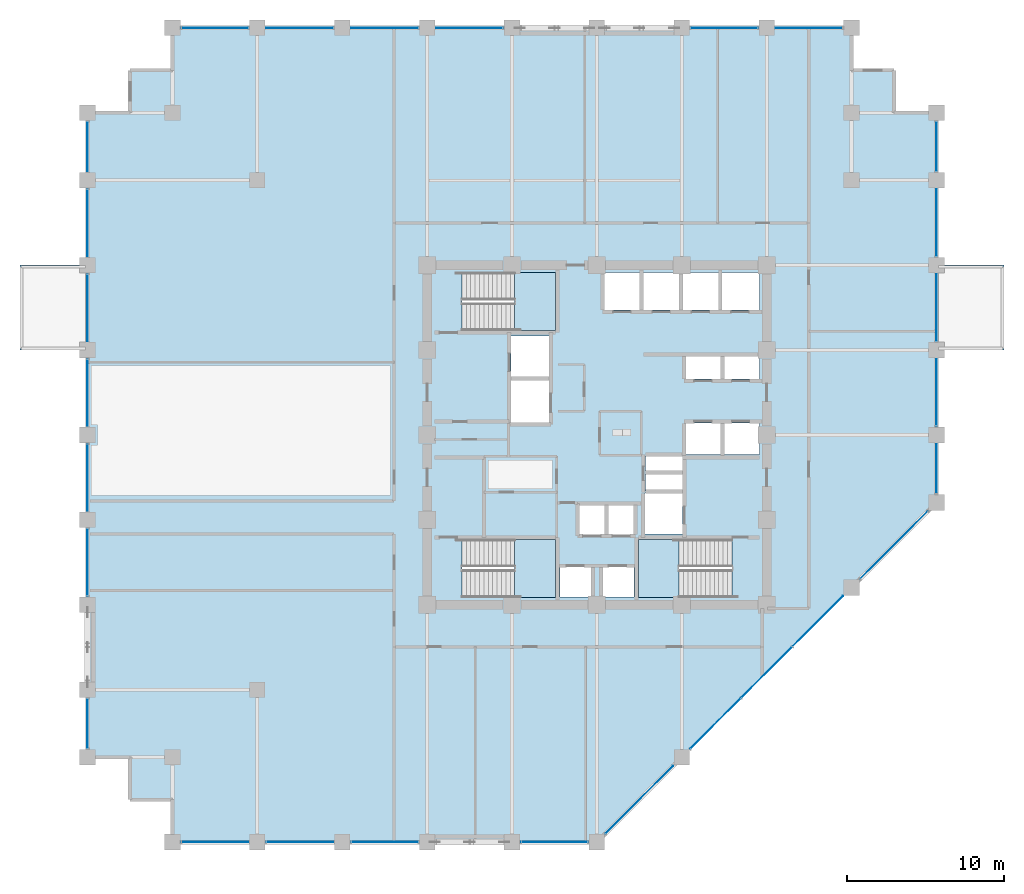
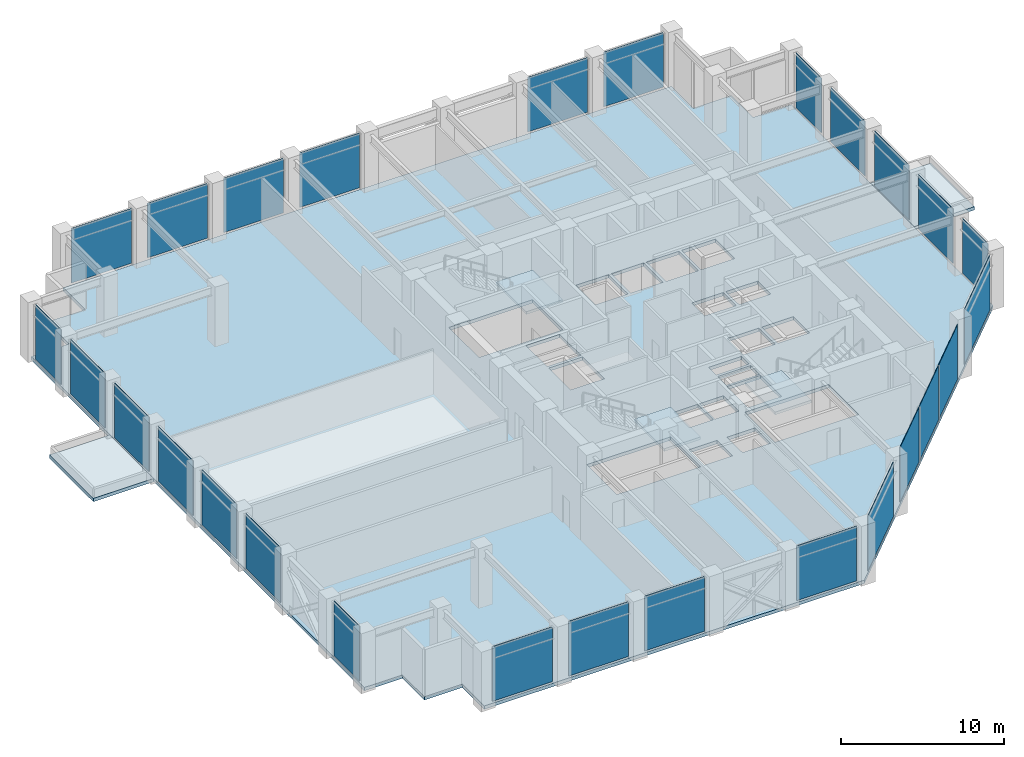
# One storey, part 17 of 25: 27 plates, 6 slabs, 11 elements without a shape of their own.
"""IFC4 building model written with IfcOpenShell, lengths in metres."""

from ifc_helpers import new_model, si_unit, direction, frame, frame_2d, origin, place, context, subcontext, project, spatial, polyline, rectangle, outline, extrude, material, layer, layer_set, type_object, element, aggregate, save


model = new_model("IFC4")

# Units and contexts
model_context = context("Model", 3, precision=1e-05, world=origin(), true_north=direction((0.0, 1.0)))
body_context = subcontext(model_context, "Body", "Model", "MODEL_VIEW")
ifc_project = project(units=[si_unit("LENGTHUNIT", "METRE"), si_unit("AREAUNIT", "SQUARE_METRE"), si_unit("VOLUMEUNIT", "CUBIC_METRE"), si_unit("PLANEANGLEUNIT", "RADIAN"), si_unit("MASSUNIT", "GRAM", prefix="KILO")], contexts=[model_context])

# Site, building, storey
site_placement = place(None, origin())
site = spatial("IfcSite", under=ifc_project, at=site_placement, CompositionType="ELEMENT")
building_placement = place(site_placement, origin())
building = spatial("IfcBuilding", under=site, at=building_placement, Name="Surkhivell Harbour Commons", CompositionType="ELEMENT")
storey_placement = place(building_placement, frame((0.0, 0.0, 162.0)))
storey = spatial("IfcBuildingStorey", under=building, at=storey_placement, Name="L42", CompositionType="ELEMENT", Elevation=162.0)

# Curtain wall, plates
ifc_material_1 = material(Name="Anodised pale-metal aluminium and insulated glazing", Category="aluminium")
ifc_layer_1 = layer(ifc_material_1, 0.205078125)
ifc_layer_set_1 = layer_set([ifc_layer_1], Name="Anodised pale-metal aluminium and insulated glazing")
curtain_wall_type = type_object("IfcCurtainWallType", Name="CW-SYS-Z2", PredefinedType="NOTDEFINED", material=ifc_layer_set_1)
curtain_wall_1_placement = place(storey_placement, origin())
curtain_wall_1 = element("IfcCurtainWall", 1, at=curtain_wall_1_placement, inside=storey, type_object=curtain_wall_type, Name="L42 Curtain Wall CW-L42-E00S1", PredefinedType="NOTDEFINED")
ifc_material_2 = material(Name="High-pressure typhoon laminated vision glass", Category="glass")
ifc_layer_2 = layer(ifc_material_2, 0.035888671875)
ifc_layer_set_2 = layer_set([ifc_layer_2], Name="High-pressure typhoon laminated vision glass")
plate_type = type_object("IfcPlateType", Name="CWP-GLZ-36", PredefinedType="CURTAIN_PANEL", material=ifc_layer_set_2)
plate_1_placement = place(storey_placement, frame((-26.423095703125, -25.89990234375, 0.14990234375), z_axis=(0.0, 0.0, 1.0), x_axis=(1.0, 0.0, 0.0)))
plate_1 = element("IfcPlate", 2, at=plate_1_placement, type_object=plate_type, Name="CW-Z2 panel 1.1", PredefinedType="CURTAIN_PANEL", context=body_context, shape_type="SweptSolid", body=[
    extrude(rectangle(XDim=4.24609375, YDim=0.035888671875, at=frame_2d((2.123046875, 0.0))), origin(), (0.0, 0.0, 1.0), 4.10009765625),
])
plate_2_placement = place(storey_placement, frame((-21.02294921875, -25.89990234375, 0.14990234375), z_axis=(0.0, 0.0, 1.0), x_axis=(1.0, 0.0, 0.0)))
plate_2 = element("IfcPlate", 3, at=plate_2_placement, type_object=plate_type, Name="CW-Z2 panel 2.1", PredefinedType="CURTAIN_PANEL", context=body_context, shape_type="SweptSolid", body=[
    extrude(rectangle(XDim=4.245849609375, YDim=0.035888671875, at=frame_2d((2.123046875, 0.0))), origin(), (0.0, 0.0, 1.0), 4.10009765625),
])
plate_3_placement = place(storey_placement, frame((-15.623046875, -25.89990234375, 0.14990234375), z_axis=(0.0, 0.0, 1.0), x_axis=(1.0, 0.0, 0.0)))
plate_3 = element("IfcPlate", 4, at=plate_3_placement, type_object=plate_type, Name="CW-Z2 panel 3.1", PredefinedType="CURTAIN_PANEL", context=body_context, shape_type="SweptSolid", body=[
    extrude(rectangle(XDim=4.24609375, YDim=0.035888671875, at=frame_2d((2.123046875, 0.0))), origin(), (0.0, 0.0, 1.0), 4.10009765625),
])
aggregate(curtain_wall_1, [plate_1, plate_2, plate_3])

# Curtain wall, plate
curtain_wall_2_placement = place(storey_placement, origin())
curtain_wall_2 = element("IfcCurtainWall", 5, at=curtain_wall_2_placement, inside=storey, type_object=curtain_wall_type, Name="L42 Curtain Wall CW-L42-E00S2", PredefinedType="NOTDEFINED")
plate_4_placement = place(storey_placement, frame((-4.822998046875, -25.89990234375, 0.14990234375), z_axis=(0.0, 0.0, 1.0), x_axis=(1.0, 0.0, 0.0)))
plate_4 = element("IfcPlate", 6, at=plate_4_placement, type_object=plate_type, Name="CW-Z2 panel 1.1", PredefinedType="CURTAIN_PANEL", context=body_context, shape_type="SweptSolid", body=[
    extrude(rectangle(XDim=4.24609375, YDim=0.035888671875, at=frame_2d((2.123046875, 0.0))), origin(), (0.0, 0.0, 1.0), 4.10009765625),
])
aggregate(curtain_wall_2, [plate_4])

# Curtain wall, plates
curtain_wall_3_placement = place(storey_placement, origin())
curtain_wall_3 = element("IfcCurtainWall", 7, at=curtain_wall_3_placement, inside=storey, type_object=curtain_wall_type, Name="L42 Curtain Wall CW-L42-E01", PredefinedType="NOTDEFINED")
plate_5_placement = place(storey_placement, frame((0.5546875, -25.34521484375, 0.14990234375), z_axis=(0.0, 0.0, 1.0), x_axis=(0.707106781187, 0.707106781187, 0.0)))
plate_5 = element("IfcPlate", 8, at=plate_5_placement, type_object=plate_type, Name="CW-Z2 panel 1.1", PredefinedType="CURTAIN_PANEL", context=body_context, shape_type="SweptSolid", body=[
    extrude(rectangle(XDim=6.067626953125, YDim=0.035888671875, at=frame_2d((3.03369140625, 0.0))), origin(), (0.0, 0.0, 1.0), 4.10009765625),
])
plate_6_placement = place(storey_placement, frame((5.954833984375, -19.9453125, 0.14990234375), z_axis=(0.0, 0.0, 1.0), x_axis=(0.707079687416, 0.707133873919, 0.0)))
plate_6 = element("IfcPlate", 9, at=plate_6_placement, type_object=plate_type, Name="CW-Z2 panel 2.1", PredefinedType="CURTAIN_PANEL", context=body_context, shape_type="SweptSolid", body=[
    extrude(rectangle(XDim=4.505615234375, YDim=0.035888671875, at=frame_2d((2.2529296875, 0.0))), origin(), (0.0, 0.0, 1.0), 4.10009765625),
])
plate_7_placement = place(storey_placement, frame((9.19384765625, -16.706298828125, 0.14990234375), z_axis=(0.0, 0.0, 1.0), x_axis=(0.707079911854, 0.707133649498, 0.0)))
plate_7 = element("IfcPlate", 10, at=plate_7_placement, type_object=plate_type, Name="CW-Z2 panel 3.1", PredefinedType="CURTAIN_PANEL", context=body_context, shape_type="SweptSolid", body=[
    extrude(rectangle(XDim=4.543212890625, YDim=0.035888671875, at=frame_2d((2.271484375, 0.0))), origin(), (0.0, 0.0, 1.0), 4.10009765625),
])
plate_8_placement = place(storey_placement, frame((12.459228515625, -13.440673828125, 0.14990234375), z_axis=(0.0, 0.0, 1.0), x_axis=(0.707106781187, 0.707106781187, 0.0)))
plate_8 = element("IfcPlate", 11, at=plate_8_placement, type_object=plate_type, Name="CW-Z2 panel 4.1", PredefinedType="CURTAIN_PANEL", context=body_context, shape_type="SweptSolid", body=[
    extrude(rectangle(XDim=4.505615234375, YDim=0.035888671875, at=frame_2d((2.2529296875, 0.0))), origin(), (0.0, 0.0, 1.0), 4.10009765625),
])
plate_9_placement = place(storey_placement, frame((16.754638671875, -9.145263671875, 0.14990234375), z_axis=(0.0, 0.0, 1.0), x_axis=(0.707106781187, 0.707106781187, 0.0)))
plate_9 = element("IfcPlate", 12, at=plate_9_placement, type_object=plate_type, Name="CW-Z2 panel 5.1", PredefinedType="CURTAIN_PANEL", context=body_context, shape_type="SweptSolid", body=[
    extrude(rectangle(XDim=6.067626953125, YDim=0.035888671875, at=frame_2d((3.03369140625, 0.0))), origin(), (0.0, 0.0, 1.0), 4.10009765625),
])
aggregate(curtain_wall_3, [plate_5, plate_6, plate_7, plate_8, plate_9])

curtain_wall_4_placement = place(storey_placement, origin())
curtain_wall_4 = element("IfcCurtainWall", 13, at=curtain_wall_4_placement, inside=storey, type_object=curtain_wall_type, Name="L42 Curtain Wall CW-L42-E02", PredefinedType="NOTDEFINED")
plate_10_placement = place(storey_placement, frame((21.60009765625, -3.722900390625, 0.14990234375), z_axis=(0.0, 0.0, 1.0), x_axis=(0.0, 1.0, 0.0)))
plate_10 = element("IfcPlate", 14, at=plate_10_placement, type_object=plate_type, Name="CW-Z2 panel 1.1", PredefinedType="CURTAIN_PANEL", context=body_context, shape_type="SweptSolid", body=[
    extrude(rectangle(XDim=3.14599609375, YDim=0.035888671875, at=frame_2d((1.572998046875, 0.0))), origin(), (0.0, 0.0, 1.0), 4.10009765625),
])
plate_11_placement = place(storey_placement, frame((21.60009765625, 0.576904296875, 0.14990234375), z_axis=(0.0, 0.0, 1.0), x_axis=(0.0, 1.0, 0.0)))
plate_11 = element("IfcPlate", 15, at=plate_11_placement, type_object=plate_type, Name="CW-Z2 panel 2.1", PredefinedType="CURTAIN_PANEL", context=body_context, shape_type="SweptSolid", body=[
    extrude(rectangle(XDim=4.24609375, YDim=0.035888671875, at=frame_2d((2.123046875, 0.0))), origin(), (0.0, 0.0, 1.0), 4.10009765625),
])
plate_12_placement = place(storey_placement, frame((21.60009765625, 5.97705078125, 0.14990234375), z_axis=(0.0, 0.0, 1.0), x_axis=(0.0, 1.0, 0.0)))
plate_12 = element("IfcPlate", 16, at=plate_12_placement, type_object=plate_type, Name="CW-Z2 panel 3.1", PredefinedType="CURTAIN_PANEL", context=body_context, shape_type="SweptSolid", body=[
    extrude(rectangle(XDim=4.245849609375, YDim=0.035888671875, at=frame_2d((2.123046875, 0.0))), origin(), (0.0, 0.0, 1.0), 4.10009765625),
])
plate_13_placement = place(storey_placement, frame((21.60009765625, 11.376953125, 0.14990234375), z_axis=(0.0, 0.0, 1.0), x_axis=(0.0, 1.0, 0.0)))
plate_13 = element("IfcPlate", 17, at=plate_13_placement, type_object=plate_type, Name="CW-Z2 panel 4.1", PredefinedType="CURTAIN_PANEL", context=body_context, shape_type="SweptSolid", body=[
    extrude(rectangle(XDim=4.24609375, YDim=0.035888671875, at=frame_2d((2.123046875, 0.0))), origin(), (0.0, 0.0, 1.0), 4.10009765625),
])
plate_14_placement = place(storey_placement, frame((21.60009765625, 16.777099609375, 0.14990234375), z_axis=(0.0, 0.0, 1.0), x_axis=(0.0, 1.0, 0.0)))
plate_14 = element("IfcPlate", 18, at=plate_14_placement, type_object=plate_type, Name="CW-Z2 panel 5.1", PredefinedType="CURTAIN_PANEL", context=body_context, shape_type="SweptSolid", body=[
    extrude(rectangle(XDim=3.14599609375, YDim=0.035888671875, at=frame_2d((1.572998046875, 0.0))), origin(), (0.0, 0.0, 1.0), 4.10009765625),
])
aggregate(curtain_wall_4, [plate_10, plate_11, plate_12, plate_13, plate_14])

curtain_wall_5_placement = place(storey_placement, origin())
curtain_wall_5 = element("IfcCurtainWall", 19, at=curtain_wall_5_placement, inside=storey, type_object=curtain_wall_type, Name="L42 Curtain Wall CW-L42-E07S1", PredefinedType="NOTDEFINED")
plate_15_placement = place(storey_placement, frame((15.623046875, 25.89990234375, 0.14990234375), z_axis=(0.0, 0.0, 1.0), x_axis=(-1.0, 0.0, 0.0)))
plate_15 = element("IfcPlate", 20, at=plate_15_placement, type_object=plate_type, Name="CW-Z2 panel 1.1", PredefinedType="CURTAIN_PANEL", context=body_context, shape_type="SweptSolid", body=[
    extrude(rectangle(XDim=4.24609375, YDim=0.035888671875, at=frame_2d((2.123046875, 0.0))), origin(), (0.0, 0.0, 1.0), 4.10009765625),
])
plate_16_placement = place(storey_placement, frame((10.222900390625, 25.89990234375, 0.14990234375), z_axis=(0.0, 0.0, 1.0), x_axis=(-1.0, 0.0, 0.0)))
plate_16 = element("IfcPlate", 21, at=plate_16_placement, type_object=plate_type, Name="CW-Z2 panel 2.1", PredefinedType="CURTAIN_PANEL", context=body_context, shape_type="SweptSolid", body=[
    extrude(rectangle(XDim=4.245849609375, YDim=0.035888671875, at=frame_2d((2.123046875, 0.0))), origin(), (0.0, 0.0, 1.0), 4.10009765625),
])
aggregate(curtain_wall_5, [plate_15, plate_16])

curtain_wall_6_placement = place(storey_placement, origin())
curtain_wall_6 = element("IfcCurtainWall", 22, at=curtain_wall_6_placement, inside=storey, type_object=curtain_wall_type, Name="L42 Curtain Wall CW-L42-E07S2", PredefinedType="NOTDEFINED")
plate_17_placement = place(storey_placement, frame((-5.97705078125, 25.89990234375, 0.14990234375), z_axis=(0.0, 0.0, 1.0), x_axis=(-1.0, 0.0, 0.0)))
plate_17 = element("IfcPlate", 23, at=plate_17_placement, type_object=plate_type, Name="CW-Z2 panel 1.1", PredefinedType="CURTAIN_PANEL", context=body_context, shape_type="SweptSolid", body=[
    extrude(rectangle(XDim=4.245849609375, YDim=0.035888671875, at=frame_2d((2.123046875, 0.0))), origin(), (0.0, 0.0, 1.0), 4.10009765625),
])
plate_18_placement = place(storey_placement, frame((-11.376953125, 25.89990234375, 0.14990234375), z_axis=(0.0, 0.0, 1.0), x_axis=(-1.0, 0.0, 0.0)))
plate_18 = element("IfcPlate", 24, at=plate_18_placement, type_object=plate_type, Name="CW-Z2 panel 2.1", PredefinedType="CURTAIN_PANEL", context=body_context, shape_type="SweptSolid", body=[
    extrude(rectangle(XDim=4.24609375, YDim=0.035888671875, at=frame_2d((2.123046875, 0.0))), origin(), (0.0, 0.0, 1.0), 4.10009765625),
])
plate_19_placement = place(storey_placement, frame((-16.777099609375, 25.89990234375, 0.14990234375), z_axis=(0.0, 0.0, 1.0), x_axis=(-1.0, 0.0, 0.0)))
plate_19 = element("IfcPlate", 25, at=plate_19_placement, type_object=plate_type, Name="CW-Z2 panel 3.1", PredefinedType="CURTAIN_PANEL", context=body_context, shape_type="SweptSolid", body=[
    extrude(rectangle(XDim=4.245849609375, YDim=0.035888671875, at=frame_2d((2.123046875, 0.0))), origin(), (0.0, 0.0, 1.0), 4.10009765625),
])
plate_20_placement = place(storey_placement, frame((-22.177001953125, 25.89990234375, 0.14990234375), z_axis=(0.0, 0.0, 1.0), x_axis=(-1.0, 0.0, 0.0)))
plate_20 = element("IfcPlate", 26, at=plate_20_placement, type_object=plate_type, Name="CW-Z2 panel 4.1", PredefinedType="CURTAIN_PANEL", context=body_context, shape_type="SweptSolid", body=[
    extrude(rectangle(XDim=4.24609375, YDim=0.035888671875, at=frame_2d((2.123046875, 0.0))), origin(), (0.0, 0.0, 1.0), 4.10009765625),
])
aggregate(curtain_wall_6, [plate_17, plate_18, plate_19, plate_20])

curtain_wall_7_placement = place(storey_placement, origin())
curtain_wall_7 = element("IfcCurtainWall", 27, at=curtain_wall_7_placement, inside=storey, type_object=curtain_wall_type, Name="L42 Curtain Wall CW-L42-E12S1", PredefinedType="NOTDEFINED")
plate_21_placement = place(storey_placement, frame((-32.39990234375, 19.923095703125, 0.14990234375), z_axis=(0.0, 0.0, 1.0), x_axis=(0.0, -1.0, 0.0)))
plate_21 = element("IfcPlate", 28, at=plate_21_placement, type_object=plate_type, Name="CW-Z2 panel 1.1", PredefinedType="CURTAIN_PANEL", context=body_context, shape_type="SweptSolid", body=[
    extrude(rectangle(XDim=3.14599609375, YDim=0.035888671875, at=frame_2d((1.572998046875, 0.0))), origin(), (0.0, 0.0, 1.0), 4.10009765625),
])
plate_22_placement = place(storey_placement, frame((-32.39990234375, 15.623046875, 0.14990234375), z_axis=(0.0, 0.0, 1.0), x_axis=(0.0, -1.0, 0.0)))
plate_22 = element("IfcPlate", 29, at=plate_22_placement, type_object=plate_type, Name="CW-Z2 panel 2.1", PredefinedType="CURTAIN_PANEL", context=body_context, shape_type="SweptSolid", body=[
    extrude(rectangle(XDim=4.24609375, YDim=0.035888671875, at=frame_2d((2.123046875, 0.0))), origin(), (0.0, 0.0, 1.0), 4.10009765625),
])
plate_23_placement = place(storey_placement, frame((-32.39990234375, 10.222900390625, 0.14990234375), z_axis=(0.0, 0.0, 1.0), x_axis=(0.0, -1.0, 0.0)))
plate_23 = element("IfcPlate", 30, at=plate_23_placement, type_object=plate_type, Name="CW-Z2 panel 3.1", PredefinedType="CURTAIN_PANEL", context=body_context, shape_type="SweptSolid", body=[
    extrude(rectangle(XDim=4.245849609375, YDim=0.035888671875, at=frame_2d((2.123046875, 0.0))), origin(), (0.0, 0.0, 1.0), 4.10009765625),
])
plate_24_placement = place(storey_placement, frame((-32.39990234375, 4.822998046875, 0.14990234375), z_axis=(0.0, 0.0, 1.0), x_axis=(0.0, -1.0, 0.0)))
plate_24 = element("IfcPlate", 31, at=plate_24_placement, type_object=plate_type, Name="CW-Z2 panel 4.1", PredefinedType="CURTAIN_PANEL", context=body_context, shape_type="SweptSolid", body=[
    extrude(rectangle(XDim=4.24609375, YDim=0.035888671875, at=frame_2d((2.123046875, 0.0))), origin(), (0.0, 0.0, 1.0), 4.10009765625),
])
plate_25_placement = place(storey_placement, frame((-32.39990234375, -0.576904296875, 0.14990234375), z_axis=(0.0, 0.0, 1.0), x_axis=(0.0, -1.0, 0.0)))
plate_25 = element("IfcPlate", 32, at=plate_25_placement, type_object=plate_type, Name="CW-Z2 panel 5.1", PredefinedType="CURTAIN_PANEL", context=body_context, shape_type="SweptSolid", body=[
    extrude(rectangle(XDim=4.24609375, YDim=0.035888671875, at=frame_2d((2.123046875, 0.0))), origin(), (0.0, 0.0, 1.0), 4.10009765625),
])
plate_26_placement = place(storey_placement, frame((-32.39990234375, -5.97705078125, 0.14990234375), z_axis=(0.0, 0.0, 1.0), x_axis=(0.0, -1.0, 0.0)))
plate_26 = element("IfcPlate", 33, at=plate_26_placement, type_object=plate_type, Name="CW-Z2 panel 6.1", PredefinedType="CURTAIN_PANEL", context=body_context, shape_type="SweptSolid", body=[
    extrude(rectangle(XDim=4.245849609375, YDim=0.035888671875, at=frame_2d((2.123046875, 0.0))), origin(), (0.0, 0.0, 1.0), 4.10009765625),
])
aggregate(curtain_wall_7, [plate_21, plate_22, plate_23, plate_24, plate_25, plate_26])

# Curtain wall, plate
curtain_wall_8_placement = place(storey_placement, origin())
curtain_wall_8 = element("IfcCurtainWall", 34, at=curtain_wall_8_placement, inside=storey, type_object=curtain_wall_type, Name="L42 Curtain Wall CW-L42-E12S2", PredefinedType="NOTDEFINED")
plate_27_placement = place(storey_placement, frame((-32.39990234375, -16.777099609375, 0.14990234375), z_axis=(0.0, 0.0, 1.0), x_axis=(0.0, -1.0, 0.0)))
plate_27 = element("IfcPlate", 35, at=plate_27_placement, type_object=plate_type, Name="CW-Z2 panel 1.1", PredefinedType="CURTAIN_PANEL", context=body_context, shape_type="SweptSolid", body=[
    extrude(rectangle(XDim=3.14599609375, YDim=0.035888671875, at=frame_2d((1.572998046875, 0.0))), origin(), (0.0, 0.0, 1.0), 4.10009765625),
])
aggregate(curtain_wall_8, [plate_27])

# Slabs
ifc_material_3 = material(Name="Concrete C50/60", Category="concrete")
ifc_layer_3 = layer(ifc_material_3, 0.25)
ifc_layer_set_3 = layer_set([ifc_layer_3], Name="Concrete C50/60")
slab_type_1 = type_object("IfcSlabType", Name="SLB-BOXRF-250", PredefinedType="ROOF", material=ifc_layer_set_3)
slab_1_placement = place(storey_placement, frame((0.0, 0.0, -0.25)))
element("IfcSlab", 36, at=slab_1_placement, inside=storey, type_object=slab_type_1, Name="L42 Closed Box-Cluster Roof Slab 1", PredefinedType="ROOF", context=body_context, shape_type="SweptSolid", body=[
    extrude(outline(polyline([(25.89990234375, 10.800048828125), (21.6201171875, 10.800048828125), (21.6201171875, 5.39990234375), (25.89990234375, 5.39990234375), (25.89990234375, 10.800048828125)])), origin(), (0.0, 0.0, 1.0), 0.25),
])
slab_2_placement = place(storey_placement, frame((0.0, 0.0, -0.25)))
element("IfcSlab", 37, at=slab_2_placement, inside=storey, type_object=slab_type_1, Name="L42 Closed Box-Cluster Roof Slab 2", PredefinedType="ROOF", context=body_context, shape_type="SweptSolid", body=[
    extrude(outline(polyline([(-36.699951171875, 5.39990234375), (-32.419921875, 5.39990234375), (-32.419921875, 10.800048828125), (-36.699951171875, 10.800048828125), (-36.699951171875, 5.39990234375)])), origin(), (0.0, 0.0, 1.0), 0.25),
])
ifc_layer_4 = layer(ifc_material_3, 0.25)
ifc_layer_set_4 = layer_set([ifc_layer_4], Name="Concrete C50/60")
slab_type_2 = type_object("IfcSlabType", Name="SLB-POD-250", PredefinedType="FLOOR", material=ifc_layer_set_4)
slab_3_placement = place(storey_placement, frame((0.0, 0.0, -0.25)))
element("IfcSlab", 38, at=slab_3_placement, inside=storey, type_object=slab_type_2, Name="L42 Structural Floor Slab", PredefinedType="FLOOR", context=body_context, shape_type="SweptSolid", body=[
    extrude(outline(polyline([(-27.0, -25.89990234375), (0.0, -25.89990234375), (21.60009765625, -4.300048828125), (21.60009765625, 20.5), (18.89990234375, 20.5), (18.89990234375, 23.199951171875), (16.199951171875, 23.199951171875), (16.199951171875, 25.89990234375), (-27.0, 25.89990234375), (-27.0, 23.199951171875), (-29.699951171875, 23.199951171875), (-29.699951171875, 20.5), (-32.39990234375, 20.5), (-32.39990234375, -20.5), (-29.699951171875, -20.5), (-29.699951171875, -23.199951171875), (-27.0, -23.199951171875), (-27.0, -25.89990234375)]), holes=[polyline([(-8.590087890625, 6.639892578125), (-2.639892578125, 6.639892578125), (-2.639892578125, 10.340087890625), (-8.590087890625, 10.340087890625), (-8.590087890625, 6.639892578125)]), polyline([(8.590087890625, -6.639892578125), (2.639892578125, -6.639892578125), (2.639892578125, -10.340087890625), (8.590087890625, -10.340087890625), (8.590087890625, -6.639892578125)]), polyline([(-8.590087890625, -10.340087890625), (-2.639892578125, -10.340087890625), (-2.639892578125, -6.639892578125), (-8.590087890625, -6.639892578125), (-8.590087890625, -10.340087890625)]), polyline([(0.449951171875, 7.949951171875), (2.75, 7.949951171875), (2.75, 10.35009765625), (0.449951171875, 10.35009765625), (0.449951171875, 7.949951171875)]), polyline([(2.949951171875, 7.949951171875), (5.25, 7.949951171875), (5.25, 10.35009765625), (2.949951171875, 10.35009765625), (2.949951171875, 7.949951171875)]), polyline([(5.449951171875, 7.949951171875), (7.75, 7.949951171875), (7.75, 10.35009765625), (5.449951171875, 10.35009765625), (5.449951171875, 7.949951171875)]), polyline([(7.949951171875, 7.949951171875), (10.35009765625, 7.949951171875), (10.35009765625, 10.35009765625), (7.949951171875, 10.35009765625), (7.949951171875, 7.949951171875)]), polyline([(5.64990234375, 3.550048828125), (7.89990234375, 3.550048828125), (7.89990234375, 5.14990234375), (5.64990234375, 5.14990234375), (5.64990234375, 3.550048828125)]), polyline([(8.10009765625, 3.550048828125), (10.35009765625, 3.550048828125), (10.35009765625, 5.14990234375), (8.10009765625, 5.14990234375), (8.10009765625, 3.550048828125)]), polyline([(5.64990234375, -1.25), (7.89990234375, -1.25), (7.89990234375, 0.75), (5.64990234375, 0.75), (5.64990234375, -1.25)]), polyline([(8.10009765625, -1.25), (10.35009765625, -1.25), (10.35009765625, 0.75), (8.10009765625, 0.75), (8.10009765625, -1.25)]), polyline([(-1.14990234375, -6.35009765625), (0.550048828125, -6.35009765625), (0.550048828125, -4.449951171875), (-1.14990234375, -4.449951171875), (-1.14990234375, -6.35009765625)]), polyline([(0.679931640625, -6.35009765625), (2.3798828125, -6.35009765625), (2.3798828125, -4.449951171875), (0.679931640625, -4.449951171875), (0.679931640625, -6.35009765625)]), polyline([(-2.35009765625, -10.300048828125), (-0.35009765625, -10.300048828125), (-0.35009765625, -8.39990234375), (-2.35009765625, -8.39990234375), (-2.35009765625, -10.300048828125)]), polyline([(0.35009765625, -10.300048828125), (2.35009765625, -10.300048828125), (2.35009765625, -8.39990234375), (0.35009765625, -8.39990234375), (0.35009765625, -10.300048828125)]), polyline([(-5.449951171875, 3.699951171875), (-3.050048828125, 3.699951171875), (-3.050048828125, 6.300048828125), (-5.449951171875, 6.300048828125), (-5.449951171875, 3.699951171875)]), polyline([(3.050048828125, -6.300048828125), (5.449951171875, -6.300048828125), (5.449951171875, -3.699951171875), (3.050048828125, -3.699951171875), (3.050048828125, -6.300048828125)]), polyline([(-5.449951171875, 0.800048828125), (-3.050048828125, 0.800048828125), (-3.050048828125, 3.5), (-5.449951171875, 3.5), (-5.449951171875, 0.800048828125)]), polyline([(3.10009765625, -3.550048828125), (5.449951171875, -3.550048828125), (5.449951171875, -2.47998046875), (3.10009765625, -2.47998046875), (3.10009765625, -3.550048828125)]), polyline([(3.10009765625, -2.280029296875), (5.449951171875, -2.280029296875), (5.449951171875, -1.35009765625), (3.10009765625, -1.35009765625), (3.10009765625, -2.280029296875)])]), origin(), (0.0, 0.0, 1.0), 0.25),
])

# Stair, slab
ifc_material_4 = material(Name="Precast concrete C45/55", Category="concrete")
stair_type = type_object("IfcStairType", Name="STR-DL-450", PredefinedType="HALF_TURN_STAIR", material=ifc_material_4)
stair_1_placement = place(storey_placement, origin())
stair_1 = element("IfcStair", 39, at=stair_1_placement, inside=storey, type_object=stair_type, Name="L42 Core Exit Stair ST1", PredefinedType="HALF_TURN_STAIR")
ifc_material_5 = material(Name="Reinforced concrete C45/55", Category="concrete")
ifc_layer_5 = layer(ifc_material_5, 0.199951171875)
ifc_layer_set_5 = layer_set([ifc_layer_5], Name="Reinforced concrete C45/55")
slab_type_3 = type_object("IfcSlabType", Name="SLB-ST-LND200", PredefinedType="LANDING", material=ifc_layer_set_5)
slab_4_placement = place(storey_placement, frame((0.0, 0.0, 2.050048828125)))
slab_4 = element("IfcSlab", 40, at=slab_4_placement, type_object=slab_type_3, Name="ST1 landing 1", PredefinedType="LANDING", context=body_context, shape_type="SweptSolid", body=[
    extrude(outline(polyline([(-5.22998046875, 6.639892578125), (-2.639892578125, 6.639892578125), (-2.639892578125, 10.340087890625), (-5.22998046875, 10.340087890625), (-5.22998046875, 6.639892578125)])), origin(), (0.0, 0.0, 1.0), 0.199951171875),
])
aggregate(stair_1, [slab_4])

stair_2_placement = place(storey_placement, origin())
stair_2 = element("IfcStair", 41, at=stair_2_placement, inside=storey, type_object=stair_type, Name="L42 Core Exit Stair ST2", PredefinedType="HALF_TURN_STAIR")
slab_5_placement = place(storey_placement, frame((0.0, 0.0, 2.050048828125)))
slab_5 = element("IfcSlab", 42, at=slab_5_placement, type_object=slab_type_3, Name="ST2 landing 1", PredefinedType="LANDING", context=body_context, shape_type="SweptSolid", body=[
    extrude(outline(polyline([(5.22998046875, -6.639892578125), (2.639892578125, -6.639892578125), (2.639892578125, -10.340087890625), (5.22998046875, -10.340087890625), (5.22998046875, -6.639892578125)])), origin(), (0.0, 0.0, 1.0), 0.199951171875),
])
aggregate(stair_2, [slab_5])

stair_3_placement = place(storey_placement, origin())
stair_3 = element("IfcStair", 43, at=stair_3_placement, inside=storey, type_object=stair_type, Name="L42 Core Exit Stair ST3", PredefinedType="HALF_TURN_STAIR")
slab_6_placement = place(storey_placement, frame((0.0, 0.0, 2.050048828125)))
slab_6 = element("IfcSlab", 44, at=slab_6_placement, type_object=slab_type_3, Name="ST3 landing 1", PredefinedType="LANDING", context=body_context, shape_type="SweptSolid", body=[
    extrude(outline(polyline([(-5.22998046875, -10.340087890625), (-2.639892578125, -10.340087890625), (-2.639892578125, -6.639892578125), (-5.22998046875, -6.639892578125), (-5.22998046875, -10.340087890625)])), origin(), (0.0, 0.0, 1.0), 0.199951171875),
])
aggregate(stair_3, [slab_6])

save(model, "model.ifc")
